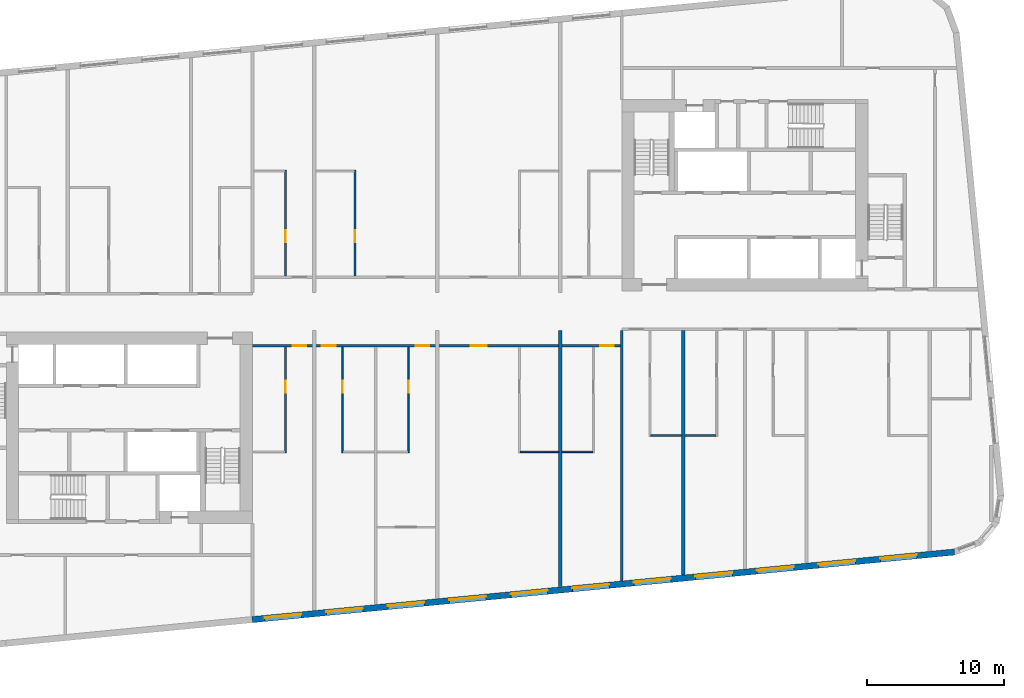
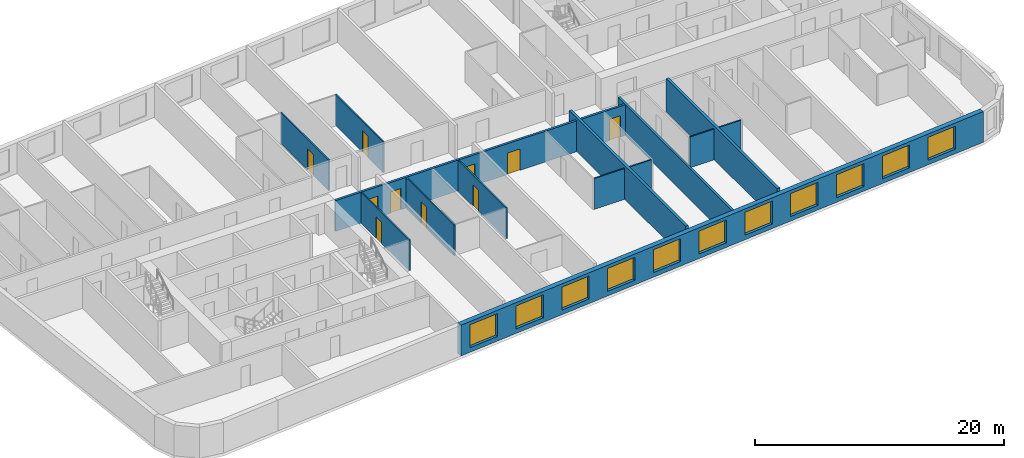
# One storey, part 4 of 12: 14 walls, 11 windows, 10 doors, 21 openings.
"""IFC4 building model written with IfcOpenShell, lengths in metres."""

from ifc_helpers import new_model, si_unit, direction, frame, frame_2d, origin, place, context, subcontext, project, spatial, rectangle, extrude, material, layer, layer_set, type_object, element, fill, save


model = new_model("IFC4")

# Units and contexts
model_context = context("Model", 3, precision=1e-05, world=origin(), true_north=direction((0.0, 1.0)))
body_context = subcontext(model_context, "Body", "Model", "MODEL_VIEW")
ifc_project = project(units=[si_unit("LENGTHUNIT", "METRE"), si_unit("AREAUNIT", "SQUARE_METRE"), si_unit("VOLUMEUNIT", "CUBIC_METRE"), si_unit("PLANEANGLEUNIT", "RADIAN"), si_unit("MASSUNIT", "GRAM", prefix="KILO")], contexts=[model_context])

# Site, building, storey
site_placement = place(None, origin())
site = spatial("IfcSite", under=ifc_project, at=site_placement, CompositionType="ELEMENT")
building_placement = place(site_placement, origin())
building = spatial("IfcBuilding", under=site, at=building_placement, Name="Kajstack Hotel Tower", CompositionType="ELEMENT")
storey_placement = place(building_placement, frame((0.0, 0.0, 199.89990234375)))
storey = spatial("IfcBuildingStorey", under=building, at=storey_placement, Name="L48", CompositionType="ELEMENT", Elevation=199.89990234375)

# Wall, openings, doors
ifc_material_1 = material(Name="Gypsum board on steel studs, mineral wool", Category="steel")
ifc_layer_1 = layer(ifc_material_1, 0.199951171875)
ifc_layer_set_1 = layer_set([ifc_layer_1], Name="Corridor wall 200")
wall_type_1 = type_object("IfcWallType", Name="Corridor wall 200", PredefinedType="PARTITIONING", material=ifc_layer_set_1)
wall_1_placement = place(storey_placement, frame((-13.5, -2.5, 0.0), z_axis=(0.0, 0.0, 1.0), x_axis=(1.0, 0.0, 0.0)))
wall_1 = element("IfcWall", 1, at=wall_1_placement, inside=storey, type_object=wall_type_1, Name="G-wall-L48-028", PredefinedType="PARTITIONING", context=body_context, shape_type="SweptSolid", body=[
    extrude(rectangle(XDim=27.0, YDim=0.199951171875, at=frame_2d((13.5, 0.0))), origin(), (0.0, 0.0, 1.0), 3.02001953125),
])
opening_1_placement = place(wall_1_placement, frame((2.925048828125, 0.0, 0.0)))
opening_1 = element("IfcOpeningElement", 2, at=opening_1_placement, cuts=wall_1, Name="Opening 48021", PredefinedType="OPENING", context=body_context, shape_type="SweptSolid", body=[
    extrude(rectangle(XDim=1.0, YDim=2.10009765625, at=frame_2d((0.5, 1.050048828125))), frame((0.0, 0.10986328125, 0.0), z_axis=(0.0, -1.0, 0.0), x_axis=(1.0, 0.0, 0.0)), (0.0, 0.0, 1.0), 0.219970703125),
])
opening_2_placement = place(wall_1_placement, frame((5.074951171875, 0.0, 0.0)))
opening_2 = element("IfcOpeningElement", 3, at=opening_2_placement, cuts=wall_1, Name="Opening 48023", PredefinedType="OPENING", context=body_context, shape_type="SweptSolid", body=[
    extrude(rectangle(XDim=1.0, YDim=2.10009765625, at=frame_2d((0.5, 1.050048828125))), frame((0.0, 0.10986328125, 0.0), z_axis=(0.0, -1.0, 0.0), x_axis=(1.0, 0.0, 0.0)), (0.0, 0.0, 1.0), 0.219970703125),
])
opening_3_placement = place(wall_1_placement, frame((11.925048828125, 0.0, 0.0)))
opening_3 = element("IfcOpeningElement", 4, at=opening_3_placement, cuts=wall_1, Name="Opening 48025", PredefinedType="OPENING", context=body_context, shape_type="SweptSolid", body=[
    extrude(rectangle(XDim=1.0, YDim=2.10009765625, at=frame_2d((0.5, 1.050048828125))), frame((0.0, 0.10986328125, 0.0), z_axis=(0.0, -1.0, 0.0), x_axis=(1.0, 0.0, 0.0)), (0.0, 0.0, 1.0), 0.219970703125),
])
opening_4_placement = place(wall_1_placement, frame((15.93798828125, 0.0, 0.0)))
opening_4 = element("IfcOpeningElement", 5, at=opening_4_placement, cuts=wall_1, Name="Opening 48028", PredefinedType="OPENING", context=body_context, shape_type="SweptSolid", body=[
    extrude(rectangle(XDim=1.199951171875, YDim=2.10009765625, at=frame_2d((0.60009765625, 1.050048828125))), frame((0.0, 0.10986328125, 0.0), z_axis=(0.0, -1.0, 0.0), x_axis=(1.0, 0.0, 0.0)), (0.0, 0.0, 1.0), 0.219970703125),
])
opening_5_placement = place(wall_1_placement, frame((25.425048828125, 0.0, 0.0)))
opening_5 = element("IfcOpeningElement", 6, at=opening_5_placement, cuts=wall_1, Name="Opening 48030", PredefinedType="OPENING", context=body_context, shape_type="SweptSolid", body=[
    extrude(rectangle(XDim=1.0, YDim=2.10009765625, at=frame_2d((0.5, 1.050048828125))), frame((0.0, 0.10986328125, 0.0), z_axis=(0.0, -1.0, 0.0), x_axis=(1.0, 0.0, 0.0)), (0.0, 0.0, 1.0), 0.219970703125),
])
ifc_material_2 = material(Name="Oak veneer on timber core, fire-rated leaf", Category="wood")
door_type_1 = type_object("IfcDoorType", Name="Flat entrance door 1000", OperationType="SINGLE_SWING_LEFT", PredefinedType="DOOR", material=ifc_material_2)
door_1_placement = place(opening_1_placement, origin())
door_1 = element("IfcDoor", 7, at=door_1_placement, inside=storey, type_object=door_type_1, Name="G-door-L48-21", OperationType="SINGLE_SWING_LEFT", OverallHeight=2.10009765625, OverallWidth=1.0, PredefinedType="DOOR", context=body_context, shape_type="SweptSolid", body=[
    extrude(rectangle(XDim=1.0, YDim=2.10009765625, at=frame_2d((0.5, 1.050048828125))), frame((0.0, 0.02490234375, 0.0), z_axis=(0.0, -1.0, 0.0), x_axis=(1.0, 0.0, 0.0)), (0.0, 0.0, 1.0), 0.050048828125),
])
fill(opening_1, door_1)
door_2_placement = place(opening_2_placement, origin())
door_2 = element("IfcDoor", 8, at=door_2_placement, inside=storey, type_object=door_type_1, Name="G-door-L48-23", OperationType="SINGLE_SWING_RIGHT", OverallHeight=2.10009765625, OverallWidth=1.0, PredefinedType="DOOR", context=body_context, shape_type="SweptSolid", body=[
    extrude(rectangle(XDim=1.0, YDim=2.10009765625, at=frame_2d((0.5, 1.050048828125))), frame((0.0, 0.02490234375, 0.0), z_axis=(0.0, -1.0, 0.0), x_axis=(1.0, 0.0, 0.0)), (0.0, 0.0, 1.0), 0.050048828125),
])
fill(opening_2, door_2)
door_3_placement = place(opening_3_placement, origin())
door_3 = element("IfcDoor", 9, at=door_3_placement, inside=storey, type_object=door_type_1, Name="G-door-L48-25", OperationType="SINGLE_SWING_RIGHT", OverallHeight=2.10009765625, OverallWidth=1.0, PredefinedType="DOOR", context=body_context, shape_type="SweptSolid", body=[
    extrude(rectangle(XDim=1.0, YDim=2.10009765625, at=frame_2d((0.5, 1.050048828125))), frame((0.0, 0.02490234375, 0.0), z_axis=(0.0, -1.0, 0.0), x_axis=(1.0, 0.0, 0.0)), (0.0, 0.0, 1.0), 0.050048828125),
])
fill(opening_3, door_3)
door_4_placement = place(opening_5_placement, origin())
door_4 = element("IfcDoor", 10, at=door_4_placement, inside=storey, type_object=door_type_1, Name="G-door-L48-30", OperationType="SINGLE_SWING_RIGHT", OverallHeight=2.10009765625, OverallWidth=1.0, PredefinedType="DOOR", context=body_context, shape_type="SweptSolid", body=[
    extrude(rectangle(XDim=1.0, YDim=2.10009765625, at=frame_2d((0.5, 1.050048828125))), frame((0.0, 0.02490234375, 0.0), z_axis=(0.0, -1.0, 0.0), x_axis=(1.0, 0.0, 0.0)), (0.0, 0.0, 1.0), 0.050048828125),
])
fill(opening_5, door_4)
door_type_2 = type_object("IfcDoorType", Name="Flat entrance door 1200", OperationType="SINGLE_SWING_LEFT", PredefinedType="DOOR", material=ifc_material_2)
door_5_placement = place(opening_4_placement, origin())
door_5 = element("IfcDoor", 11, at=door_5_placement, inside=storey, type_object=door_type_2, Name="G-door-L48-28", OperationType="SINGLE_SWING_RIGHT", OverallHeight=2.10009765625, OverallWidth=1.199951171875, PredefinedType="DOOR", context=body_context, shape_type="SweptSolid", body=[
    extrude(rectangle(XDim=1.199951171875, YDim=2.10009765625, at=frame_2d((0.60009765625, 1.050048828125))), frame((0.0, 0.02490234375, 0.0), z_axis=(0.0, -1.0, 0.0), x_axis=(1.0, 0.0, 0.0)), (0.0, 0.0, 1.0), 0.050048828125),
])
fill(opening_4, door_5)

# Wall
ifc_material_3 = material(Name="Twin-frame gypsum board on steel studs, mineral wool", Category="steel")
ifc_layer_2 = layer(ifc_material_3, 0.199951171875)
ifc_layer_set_2 = layer_set([ifc_layer_2], Name="Demising wall 200")
wall_type_2 = type_object("IfcWallType", Name="Demising wall 200", PredefinedType="PARTITIONING", material=ifc_layer_set_2)
wall_2_placement = place(storey_placement, frame((13.5, -19.700927734375, 0.0), z_axis=(0.0, 0.0, 1.0), x_axis=(0.0, 1.0, 0.0)))
element("IfcWall", 12, at=wall_2_placement, inside=storey, type_object=wall_type_2, Name="G-wall-L48-040", PredefinedType="PARTITIONING", context=body_context, shape_type="SweptSolid", body=[
    extrude(rectangle(XDim=18.301025390625, YDim=0.199951171875, at=frame_2d((9.150390625, 0.0))), origin(), (0.0, 0.0, 1.0), 3.02001953125),
])

# Wall, openings, windows
ifc_material_4 = material(Name="Terracotta-faced brick masonry", Category="masonry")
ifc_layer_3 = layer(ifc_material_4, 0.449951171875)
ifc_layer_set_3 = layer_set([ifc_layer_3], Name="EW-TERRA")
wall_type_3 = type_object("IfcWallType", Name="EW-TERRA", PredefinedType="SOLIDWALL", material=ifc_layer_set_3)
wall_3_placement = place(storey_placement, frame((-13.521484375, -22.528564453125, 0.0), z_axis=(0.0, 0.0, 1.0), x_axis=(0.995396436651, 0.095843277819, 0.0)))
wall_3 = element("IfcWall", 13, at=wall_3_placement, inside=storey, type_object=wall_type_3, Name="E-wall-L48-04-02", PredefinedType="SOLIDWALL", context=body_context, shape_type="SweptSolid", body=[
    extrude(rectangle(XDim=51.57763671875, YDim=0.449951171875, at=frame_2d((25.788818359375, 0.0))), origin(), (0.0, 0.0, 1.0), 3.02001953125),
])
opening_6_placement = place(wall_3_placement, frame((0.910400390625, 0.0, 0.449951171875)))
opening_6 = element("IfcOpeningElement", 14, at=opening_6_placement, cuts=wall_3, Name="Opening W1", PredefinedType="OPENING", context=body_context, shape_type="SweptSolid", body=[
    extrude(rectangle(XDim=2.699951171875, YDim=2.25, at=frame_2d((1.35009765625, 1.125))), frame((0.0, 0.23486328125, 0.0), z_axis=(0.0, -1.0, 0.0), x_axis=(1.0, 0.0, 0.0)), (0.0, 0.0, 1.0), 0.469970703125),
])
opening_7_placement = place(wall_3_placement, frame((5.431396484375, 0.0, 0.449951171875)))
opening_7 = element("IfcOpeningElement", 15, at=opening_7_placement, cuts=wall_3, Name="Opening W1", PredefinedType="OPENING", context=body_context, shape_type="SweptSolid", body=[
    extrude(rectangle(XDim=2.699951171875, YDim=2.25, at=frame_2d((1.35009765625, 1.125))), frame((0.0, 0.23486328125, 0.0), z_axis=(0.0, -1.0, 0.0), x_axis=(1.0, 0.0, 0.0)), (0.0, 0.0, 1.0), 0.469970703125),
])
opening_8_placement = place(wall_3_placement, frame((9.9521484375, 0.0, 0.449951171875)))
opening_8 = element("IfcOpeningElement", 16, at=opening_8_placement, cuts=wall_3, Name="Opening W1", PredefinedType="OPENING", context=body_context, shape_type="SweptSolid", body=[
    extrude(rectangle(XDim=2.699951171875, YDim=2.25, at=frame_2d((1.35009765625, 1.125))), frame((0.0, 0.23486328125, 0.0), z_axis=(0.0, -1.0, 0.0), x_axis=(1.0, 0.0, 0.0)), (0.0, 0.0, 1.0), 0.469970703125),
])
opening_9_placement = place(wall_3_placement, frame((14.472900390625, 0.0, 0.449951171875)))
opening_9 = element("IfcOpeningElement", 17, at=opening_9_placement, cuts=wall_3, Name="Opening W1", PredefinedType="OPENING", context=body_context, shape_type="SweptSolid", body=[
    extrude(rectangle(XDim=2.699951171875, YDim=2.25, at=frame_2d((1.35009765625, 1.125))), frame((0.0, 0.23486328125, 0.0), z_axis=(0.0, -1.0, 0.0), x_axis=(1.0, 0.0, 0.0)), (0.0, 0.0, 1.0), 0.469970703125),
])
opening_10_placement = place(wall_3_placement, frame((18.99365234375, 0.0, 0.449951171875)))
opening_10 = element("IfcOpeningElement", 18, at=opening_10_placement, cuts=wall_3, Name="Opening W1", PredefinedType="OPENING", context=body_context, shape_type="SweptSolid", body=[
    extrude(rectangle(XDim=2.699951171875, YDim=2.25, at=frame_2d((1.35009765625, 1.125))), frame((0.0, 0.23486328125, 0.0), z_axis=(0.0, -1.0, 0.0), x_axis=(1.0, 0.0, 0.0)), (0.0, 0.0, 1.0), 0.469970703125),
])
opening_11_placement = place(wall_3_placement, frame((23.514404296875, 0.0, 0.449951171875)))
opening_11 = element("IfcOpeningElement", 19, at=opening_11_placement, cuts=wall_3, Name="Opening W1", PredefinedType="OPENING", context=body_context, shape_type="SweptSolid", body=[
    extrude(rectangle(XDim=2.699951171875, YDim=2.25, at=frame_2d((1.35009765625, 1.125))), frame((0.0, 0.23486328125, 0.0), z_axis=(0.0, -1.0, 0.0), x_axis=(1.0, 0.0, 0.0)), (0.0, 0.0, 1.0), 0.469970703125),
])
opening_12_placement = place(wall_3_placement, frame((28.035400390625, 0.0, 0.449951171875)))
opening_12 = element("IfcOpeningElement", 20, at=opening_12_placement, cuts=wall_3, Name="Opening W1", PredefinedType="OPENING", context=body_context, shape_type="SweptSolid", body=[
    extrude(rectangle(XDim=2.699951171875, YDim=2.25, at=frame_2d((1.35009765625, 1.125))), frame((0.0, 0.23486328125, 0.0), z_axis=(0.0, -1.0, 0.0), x_axis=(1.0, 0.0, 0.0)), (0.0, 0.0, 1.0), 0.469970703125),
])
opening_13_placement = place(wall_3_placement, frame((32.55615234375, 0.0, 0.449951171875)))
opening_13 = element("IfcOpeningElement", 21, at=opening_13_placement, cuts=wall_3, Name="Opening W1", PredefinedType="OPENING", context=body_context, shape_type="SweptSolid", body=[
    extrude(rectangle(XDim=2.699951171875, YDim=2.25, at=frame_2d((1.35009765625, 1.125))), frame((0.0, 0.23486328125, 0.0), z_axis=(0.0, -1.0, 0.0), x_axis=(1.0, 0.0, 0.0)), (0.0, 0.0, 1.0), 0.469970703125),
])
opening_14_placement = place(wall_3_placement, frame((37.076904296875, 0.0, 0.449951171875)))
opening_14 = element("IfcOpeningElement", 22, at=opening_14_placement, cuts=wall_3, Name="Opening W1", PredefinedType="OPENING", context=body_context, shape_type="SweptSolid", body=[
    extrude(rectangle(XDim=2.699951171875, YDim=2.25, at=frame_2d((1.35009765625, 1.125))), frame((0.0, 0.23486328125, 0.0), z_axis=(0.0, -1.0, 0.0), x_axis=(1.0, 0.0, 0.0)), (0.0, 0.0, 1.0), 0.469970703125),
])
opening_15_placement = place(wall_3_placement, frame((41.597900390625, 0.0, 0.449951171875)))
opening_15 = element("IfcOpeningElement", 23, at=opening_15_placement, cuts=wall_3, Name="Opening W1", PredefinedType="OPENING", context=body_context, shape_type="SweptSolid", body=[
    extrude(rectangle(XDim=2.699951171875, YDim=2.25, at=frame_2d((1.35009765625, 1.125))), frame((0.0, 0.23486328125, 0.0), z_axis=(0.0, -1.0, 0.0), x_axis=(1.0, 0.0, 0.0)), (0.0, 0.0, 1.0), 0.469970703125),
])
opening_16_placement = place(wall_3_placement, frame((46.11865234375, 0.0, 0.449951171875)))
opening_16 = element("IfcOpeningElement", 24, at=opening_16_placement, cuts=wall_3, Name="Opening W1", PredefinedType="OPENING", context=body_context, shape_type="SweptSolid", body=[
    extrude(rectangle(XDim=2.699951171875, YDim=2.25, at=frame_2d((1.35009765625, 1.125))), frame((0.0, 0.23486328125, 0.0), z_axis=(0.0, -1.0, 0.0), x_axis=(1.0, 0.0, 0.0)), (0.0, 0.0, 1.0), 0.469970703125),
])
ifc_material_5 = material(Name="Timber-aluminium window, triple glazed", Category="wood")
window_type = type_object("IfcWindowType", Name="WG1", PartitioningType="SINGLE_PANEL", PredefinedType="WINDOW", material=ifc_material_5)
window_1_placement = place(opening_6_placement, origin())
window_1 = element("IfcWindow", 25, at=window_1_placement, inside=storey, type_object=window_type, Name="Window W1 L48-04", OverallHeight=2.25, OverallWidth=2.699951171875, PartitioningType="SINGLE_PANEL", PredefinedType="WINDOW", context=body_context, shape_type="SweptSolid", body=[
    extrude(rectangle(XDim=2.699951171875, YDim=2.25, at=frame_2d((1.35009765625, 1.125))), frame((0.0, 0.090087890625, 0.0), z_axis=(0.0, -1.0, 0.0), x_axis=(1.0, 0.0, 0.0)), (0.0, 0.0, 1.0), 0.06005859375),
])
fill(opening_6, window_1)
window_2_placement = place(opening_7_placement, origin())
window_2 = element("IfcWindow", 26, at=window_2_placement, inside=storey, type_object=window_type, Name="Window W1 L48-04", OverallHeight=2.25, OverallWidth=2.699951171875, PartitioningType="SINGLE_PANEL", PredefinedType="WINDOW", context=body_context, shape_type="SweptSolid", body=[
    extrude(rectangle(XDim=2.699951171875, YDim=2.25, at=frame_2d((1.35009765625, 1.125))), frame((0.0, 0.090087890625, 0.0), z_axis=(0.0, -1.0, 0.0), x_axis=(1.0, 0.0, 0.0)), (0.0, 0.0, 1.0), 0.06005859375),
])
fill(opening_7, window_2)
window_3_placement = place(opening_8_placement, origin())
window_3 = element("IfcWindow", 27, at=window_3_placement, inside=storey, type_object=window_type, Name="Window W1 L48-04", OverallHeight=2.25, OverallWidth=2.699951171875, PartitioningType="SINGLE_PANEL", PredefinedType="WINDOW", context=body_context, shape_type="SweptSolid", body=[
    extrude(rectangle(XDim=2.699951171875, YDim=2.25, at=frame_2d((1.35009765625, 1.125))), frame((0.0, 0.090087890625, 0.0), z_axis=(0.0, -1.0, 0.0), x_axis=(1.0, 0.0, 0.0)), (0.0, 0.0, 1.0), 0.06005859375),
])
fill(opening_8, window_3)
window_4_placement = place(opening_9_placement, origin())
window_4 = element("IfcWindow", 28, at=window_4_placement, inside=storey, type_object=window_type, Name="Window W1 L48-04", OverallHeight=2.25, OverallWidth=2.699951171875, PartitioningType="SINGLE_PANEL", PredefinedType="WINDOW", context=body_context, shape_type="SweptSolid", body=[
    extrude(rectangle(XDim=2.699951171875, YDim=2.25, at=frame_2d((1.35009765625, 1.125))), frame((0.0, 0.090087890625, 0.0), z_axis=(0.0, -1.0, 0.0), x_axis=(1.0, 0.0, 0.0)), (0.0, 0.0, 1.0), 0.06005859375),
])
fill(opening_9, window_4)
window_5_placement = place(opening_10_placement, origin())
window_5 = element("IfcWindow", 29, at=window_5_placement, inside=storey, type_object=window_type, Name="Window W1 L48-04", OverallHeight=2.25, OverallWidth=2.699951171875, PartitioningType="SINGLE_PANEL", PredefinedType="WINDOW", context=body_context, shape_type="SweptSolid", body=[
    extrude(rectangle(XDim=2.699951171875, YDim=2.25, at=frame_2d((1.35009765625, 1.125))), frame((0.0, 0.090087890625, 0.0), z_axis=(0.0, -1.0, 0.0), x_axis=(1.0, 0.0, 0.0)), (0.0, 0.0, 1.0), 0.06005859375),
])
fill(opening_10, window_5)
window_6_placement = place(opening_11_placement, origin())
window_6 = element("IfcWindow", 30, at=window_6_placement, inside=storey, type_object=window_type, Name="Window W1 L48-04", OverallHeight=2.25, OverallWidth=2.699951171875, PartitioningType="SINGLE_PANEL", PredefinedType="WINDOW", context=body_context, shape_type="SweptSolid", body=[
    extrude(rectangle(XDim=2.699951171875, YDim=2.25, at=frame_2d((1.35009765625, 1.125))), frame((0.0, 0.090087890625, 0.0), z_axis=(0.0, -1.0, 0.0), x_axis=(1.0, 0.0, 0.0)), (0.0, 0.0, 1.0), 0.06005859375),
])
fill(opening_11, window_6)
window_7_placement = place(opening_12_placement, origin())
window_7 = element("IfcWindow", 31, at=window_7_placement, inside=storey, type_object=window_type, Name="Window W1 L48-04", OverallHeight=2.25, OverallWidth=2.699951171875, PartitioningType="SINGLE_PANEL", PredefinedType="WINDOW", context=body_context, shape_type="SweptSolid", body=[
    extrude(rectangle(XDim=2.699951171875, YDim=2.25, at=frame_2d((1.35009765625, 1.125))), frame((0.0, 0.090087890625, 0.0), z_axis=(0.0, -1.0, 0.0), x_axis=(1.0, 0.0, 0.0)), (0.0, 0.0, 1.0), 0.06005859375),
])
fill(opening_12, window_7)
window_8_placement = place(opening_13_placement, origin())
window_8 = element("IfcWindow", 32, at=window_8_placement, inside=storey, type_object=window_type, Name="Window W1 L48-04", OverallHeight=2.25, OverallWidth=2.699951171875, PartitioningType="SINGLE_PANEL", PredefinedType="WINDOW", context=body_context, shape_type="SweptSolid", body=[
    extrude(rectangle(XDim=2.699951171875, YDim=2.25, at=frame_2d((1.35009765625, 1.125))), frame((0.0, 0.090087890625, 0.0), z_axis=(0.0, -1.0, 0.0), x_axis=(1.0, 0.0, 0.0)), (0.0, 0.0, 1.0), 0.06005859375),
])
fill(opening_13, window_8)
window_9_placement = place(opening_14_placement, origin())
window_9 = element("IfcWindow", 33, at=window_9_placement, inside=storey, type_object=window_type, Name="Window W1 L48-04", OverallHeight=2.25, OverallWidth=2.699951171875, PartitioningType="SINGLE_PANEL", PredefinedType="WINDOW", context=body_context, shape_type="SweptSolid", body=[
    extrude(rectangle(XDim=2.699951171875, YDim=2.25, at=frame_2d((1.35009765625, 1.125))), frame((0.0, 0.090087890625, 0.0), z_axis=(0.0, -1.0, 0.0), x_axis=(1.0, 0.0, 0.0)), (0.0, 0.0, 1.0), 0.06005859375),
])
fill(opening_14, window_9)
window_10_placement = place(opening_15_placement, origin())
window_10 = element("IfcWindow", 34, at=window_10_placement, inside=storey, type_object=window_type, Name="Window W1 L48-04", OverallHeight=2.25, OverallWidth=2.699951171875, PartitioningType="SINGLE_PANEL", PredefinedType="WINDOW", context=body_context, shape_type="SweptSolid", body=[
    extrude(rectangle(XDim=2.699951171875, YDim=2.25, at=frame_2d((1.35009765625, 1.125))), frame((0.0, 0.090087890625, 0.0), z_axis=(0.0, -1.0, 0.0), x_axis=(1.0, 0.0, 0.0)), (0.0, 0.0, 1.0), 0.06005859375),
])
fill(opening_15, window_10)
window_11_placement = place(opening_16_placement, origin())
window_11 = element("IfcWindow", 35, at=window_11_placement, inside=storey, type_object=window_type, Name="Window W1 L48-04", OverallHeight=2.25, OverallWidth=2.699951171875, PartitioningType="SINGLE_PANEL", PredefinedType="WINDOW", context=body_context, shape_type="SweptSolid", body=[
    extrude(rectangle(XDim=2.699951171875, YDim=2.25, at=frame_2d((1.35009765625, 1.125))), frame((0.0, 0.090087890625, 0.0), z_axis=(0.0, -1.0, 0.0), x_axis=(1.0, 0.0, 0.0)), (0.0, 0.0, 1.0), 0.06005859375),
])
fill(opening_16, window_11)

# Wall, opening, door
ifc_material_6 = material(Name="Gypsum board and tiled backer on steel studs", Category="steel")
ifc_layer_4 = layer(ifc_material_6, 0.125)
ifc_layer_set_4 = layer_set([ifc_layer_4], Name="En-suite wall 125")
wall_type_4 = type_object("IfcWallType", Name="En-suite wall 125", PredefinedType="PARTITIONING", material=ifc_layer_set_4)
wall_4_placement = place(storey_placement, frame((-11.087890625, 2.60009765625, 0.0), z_axis=(0.0, 0.0, 1.0), x_axis=(0.0, 1.0, 0.0)))
wall_4 = element("IfcWall", 36, at=wall_4_placement, inside=storey, type_object=wall_type_4, Name="G-wall-L48-020", PredefinedType="PARTITIONING", context=body_context, shape_type="SweptSolid", body=[
    extrude(rectangle(XDim=7.724853515625, YDim=0.125, at=frame_2d((3.8623046875, 0.0))), origin(), (0.0, 0.0, 1.0), 3.02001953125),
])
opening_17_placement = place(wall_4_placement, frame((2.449951171875, 0.0, 0.0)))
opening_17 = element("IfcOpeningElement", 37, at=opening_17_placement, cuts=wall_4, Name="Opening 48014", PredefinedType="OPENING", context=body_context, shape_type="SweptSolid", body=[
    extrude(rectangle(XDim=0.89990234375, YDim=2.10009765625, at=frame_2d((0.449951171875, 1.050048828125))), frame((0.0, 0.072509765625, 0.0), z_axis=(0.0, -1.0, 0.0), x_axis=(1.0, 0.0, 0.0)), (0.0, 0.0, 1.0), 0.14501953125),
])
ifc_material_7 = material(Name="Painted timber door leaf", Category="wood")
door_type_3 = type_object("IfcDoorType", Name="Room door 900", OperationType="SINGLE_SWING_LEFT", PredefinedType="DOOR", material=ifc_material_7)
door_6_placement = place(opening_17_placement, origin())
door_6 = element("IfcDoor", 38, at=door_6_placement, inside=storey, type_object=door_type_3, Name="G-door-L48-14", OperationType="SINGLE_SWING_RIGHT", OverallHeight=2.10009765625, OverallWidth=0.89990234375, PredefinedType="DOOR", context=body_context, shape_type="SweptSolid", body=[
    extrude(rectangle(XDim=0.89990234375, YDim=2.10009765625, at=frame_2d((0.449951171875, 1.050048828125))), frame((0.0, 0.02490234375, 0.0), z_axis=(0.0, -1.0, 0.0), x_axis=(1.0, 0.0, 0.0)), (0.0, 0.0, 1.0), 0.050048828125),
])
fill(opening_17, door_6)

wall_5_placement = place(storey_placement, frame((-6.012939453125, 2.60009765625, 0.0), z_axis=(0.0, 0.0, 1.0), x_axis=(0.0, 1.0, 0.0)))
wall_5 = element("IfcWall", 39, at=wall_5_placement, inside=storey, type_object=wall_type_4, Name="G-wall-L48-022", PredefinedType="PARTITIONING", context=body_context, shape_type="SweptSolid", body=[
    extrude(rectangle(XDim=7.724853515625, YDim=0.125, at=frame_2d((3.8623046875, 0.0))), origin(), (0.0, 0.0, 1.0), 3.02001953125),
])
opening_18_placement = place(wall_5_placement, frame((2.449951171875, 0.0, 0.0)))
opening_18 = element("IfcOpeningElement", 40, at=opening_18_placement, cuts=wall_5, Name="Opening 48016", PredefinedType="OPENING", context=body_context, shape_type="SweptSolid", body=[
    extrude(rectangle(XDim=0.89990234375, YDim=2.10009765625, at=frame_2d((0.449951171875, 1.050048828125))), frame((0.0, 0.072509765625, 0.0), z_axis=(0.0, -1.0, 0.0), x_axis=(1.0, 0.0, 0.0)), (0.0, 0.0, 1.0), 0.14501953125),
])
door_7_placement = place(opening_18_placement, origin())
door_7 = element("IfcDoor", 41, at=door_7_placement, inside=storey, type_object=door_type_3, Name="G-door-L48-16", OperationType="SINGLE_SWING_LEFT", OverallHeight=2.10009765625, OverallWidth=0.89990234375, PredefinedType="DOOR", context=body_context, shape_type="SweptSolid", body=[
    extrude(rectangle(XDim=0.89990234375, YDim=2.10009765625, at=frame_2d((0.449951171875, 1.050048828125))), frame((0.0, 0.02490234375, 0.0), z_axis=(0.0, -1.0, 0.0), x_axis=(1.0, 0.0, 0.0)), (0.0, 0.0, 1.0), 0.050048828125),
])
fill(opening_18, door_7)

wall_6_placement = place(storey_placement, frame((-11.087890625, -10.324951171875, 0.0), z_axis=(0.0, 0.0, 1.0), x_axis=(0.0, 1.0, 0.0)))
wall_6 = element("IfcWall", 42, at=wall_6_placement, inside=storey, type_object=wall_type_4, Name="G-wall-L48-030", PredefinedType="PARTITIONING", context=body_context, shape_type="SweptSolid", body=[
    extrude(rectangle(XDim=7.724853515625, YDim=0.125, at=frame_2d((3.8623046875, 0.0))), origin(), (0.0, 0.0, 1.0), 3.02001953125),
])
opening_19_placement = place(wall_6_placement, frame((4.375, 0.0, 0.0)))
opening_19 = element("IfcOpeningElement", 43, at=opening_19_placement, cuts=wall_6, Name="Opening 48022", PredefinedType="OPENING", context=body_context, shape_type="SweptSolid", body=[
    extrude(rectangle(XDim=0.89990234375, YDim=2.10009765625, at=frame_2d((0.449951171875, 1.050048828125))), frame((0.0, 0.072509765625, 0.0), z_axis=(0.0, -1.0, 0.0), x_axis=(1.0, 0.0, 0.0)), (0.0, 0.0, 1.0), 0.14501953125),
])
door_8_placement = place(opening_19_placement, origin())
door_8 = element("IfcDoor", 44, at=door_8_placement, inside=storey, type_object=door_type_3, Name="G-door-L48-22", OperationType="SINGLE_SWING_RIGHT", OverallHeight=2.10009765625, OverallWidth=0.89990234375, PredefinedType="DOOR", context=body_context, shape_type="SweptSolid", body=[
    extrude(rectangle(XDim=0.89990234375, YDim=2.10009765625, at=frame_2d((0.449951171875, 1.050048828125))), frame((0.0, 0.02490234375, 0.0), z_axis=(0.0, -1.0, 0.0), x_axis=(1.0, 0.0, 0.0)), (0.0, 0.0, 1.0), 0.050048828125),
])
fill(opening_19, door_8)

wall_7_placement = place(storey_placement, frame((-6.912109375, -10.324951171875, 0.0), z_axis=(0.0, 0.0, 1.0), x_axis=(0.0, 1.0, 0.0)))
wall_7 = element("IfcWall", 45, at=wall_7_placement, inside=storey, type_object=wall_type_4, Name="G-wall-L48-033", PredefinedType="PARTITIONING", context=body_context, shape_type="SweptSolid", body=[
    extrude(rectangle(XDim=7.724853515625, YDim=0.125, at=frame_2d((3.8623046875, 0.0))), origin(), (0.0, 0.0, 1.0), 3.02001953125),
])
opening_20_placement = place(wall_7_placement, frame((4.375, 0.0, 0.0)))
opening_20 = element("IfcOpeningElement", 46, at=opening_20_placement, cuts=wall_7, Name="Opening 48024", PredefinedType="OPENING", context=body_context, shape_type="SweptSolid", body=[
    extrude(rectangle(XDim=0.89990234375, YDim=2.10009765625, at=frame_2d((0.449951171875, 1.050048828125))), frame((0.0, 0.072509765625, 0.0), z_axis=(0.0, -1.0, 0.0), x_axis=(1.0, 0.0, 0.0)), (0.0, 0.0, 1.0), 0.14501953125),
])
door_9_placement = place(opening_20_placement, origin())
door_9 = element("IfcDoor", 47, at=door_9_placement, inside=storey, type_object=door_type_3, Name="G-door-L48-24", OperationType="SINGLE_SWING_RIGHT", OverallHeight=2.10009765625, OverallWidth=0.89990234375, PredefinedType="DOOR", context=body_context, shape_type="SweptSolid", body=[
    extrude(rectangle(XDim=0.89990234375, YDim=2.10009765625, at=frame_2d((0.449951171875, 1.050048828125))), frame((0.0, 0.02490234375, 0.0), z_axis=(0.0, -1.0, 0.0), x_axis=(1.0, 0.0, 0.0)), (0.0, 0.0, 1.0), 0.050048828125),
])
fill(opening_20, door_9)

wall_8_placement = place(storey_placement, frame((-2.0869140625, -10.324951171875, 0.0), z_axis=(0.0, 0.0, 1.0), x_axis=(0.0, 1.0, 0.0)))
wall_8 = element("IfcWall", 48, at=wall_8_placement, inside=storey, type_object=wall_type_4, Name="G-wall-L48-035", PredefinedType="PARTITIONING", context=body_context, shape_type="SweptSolid", body=[
    extrude(rectangle(XDim=7.724853515625, YDim=0.125, at=frame_2d((3.8623046875, 0.0))), origin(), (0.0, 0.0, 1.0), 3.02001953125),
])
opening_21_placement = place(wall_8_placement, frame((4.375, 0.0, 0.0)))
opening_21 = element("IfcOpeningElement", 49, at=opening_21_placement, cuts=wall_8, Name="Opening 48026", PredefinedType="OPENING", context=body_context, shape_type="SweptSolid", body=[
    extrude(rectangle(XDim=0.89990234375, YDim=2.10009765625, at=frame_2d((0.449951171875, 1.050048828125))), frame((0.0, 0.072509765625, 0.0), z_axis=(0.0, -1.0, 0.0), x_axis=(1.0, 0.0, 0.0)), (0.0, 0.0, 1.0), 0.14501953125),
])
door_10_placement = place(opening_21_placement, origin())
door_10 = element("IfcDoor", 50, at=door_10_placement, inside=storey, type_object=door_type_3, Name="G-door-L48-26", OperationType="SINGLE_SWING_RIGHT", OverallHeight=2.10009765625, OverallWidth=0.89990234375, PredefinedType="DOOR", context=body_context, shape_type="SweptSolid", body=[
    extrude(rectangle(XDim=0.89990234375, YDim=2.10009765625, at=frame_2d((0.449951171875, 1.050048828125))), frame((0.0, 0.02490234375, 0.0), z_axis=(0.0, -1.0, 0.0), x_axis=(1.0, 0.0, 0.0)), (0.0, 0.0, 1.0), 0.050048828125),
])
fill(opening_21, door_10)

# Walls
wall_9_placement = place(storey_placement, frame((6.074951171875, -10.261962890625, 0.0), z_axis=(0.0, 0.0, 1.0), x_axis=(1.0, 0.0, 0.0)))
element("IfcWall", 51, at=wall_9_placement, inside=storey, type_object=wall_type_4, Name="G-wall-L48-039", PredefinedType="PARTITIONING", context=body_context, shape_type="SweptSolid", body=[
    extrude(rectangle(XDim=2.800048828125, YDim=0.125, at=frame_2d((1.39990234375, 0.0))), origin(), (0.0, 0.0, 1.0), 3.02001953125),
])
for number, where, z_axis, x_axis, name in (
    (52, (9.125, -10.261962890625, 0.0), (0.0, 0.0, 1.0), (1.0, 0.0, 0.0), "G-wall-L48-042"),
    (53, (15.625, -9.06201171875, 0.0), (0.0, 0.0, 1.0), (1.0, 0.0, 0.0), "G-wall-L48-044"),
    (54, (18.125, -9.06201171875, 0.0), (0.0, 0.0, 1.0), (1.0, 0.0, 0.0), "G-wall-L48-047"),
):
    element("IfcWall", number, at=place(storey_placement, frame(where, z_axis=z_axis, x_axis=x_axis)), inside=storey, type_object=wall_type_4, Name=name, PredefinedType="PARTITIONING", context=body_context, shape_type="SweptSolid", body=[
        extrude(rectangle(XDim=2.25, YDim=0.125, at=frame_2d((1.125, 0.0))), origin(), (0.0, 0.0, 1.0), 3.02001953125),
    ])
ifc_material_8 = material(Name="Concrete C50/60", Category="concrete")
ifc_layer_5 = layer(ifc_material_8, 0.25)
ifc_layer_set_5 = layer_set([ifc_layer_5], Name="RC cross wall 250 C50/60")
wall_type_5 = type_object("IfcWallType", Name="RC cross wall 250 C50/60", PredefinedType="SHEAR", material=ifc_layer_set_5)
wall_10_placement = place(storey_placement, frame((9.0, -20.11181640625, 0.0), z_axis=(0.0, 0.0, 1.0), x_axis=(0.0, 1.0, 0.0)))
element("IfcWall", 55, at=wall_10_placement, inside=storey, type_object=wall_type_5, Name="S-wall-L48-08", PredefinedType="SHEAR", context=body_context, shape_type="SweptSolid", body=[
    extrude(rectangle(XDim=18.7119140625, YDim=0.25, at=frame_2d((9.35595703125, 0.0))), origin(), (0.0, 0.0, 1.0), 3.300048828125),
])
wall_11_placement = place(storey_placement, frame((18.0, -19.245361328125, 0.0), z_axis=(0.0, 0.0, 1.0), x_axis=(0.0, 1.0, 0.0)))
element("IfcWall", 56, at=wall_11_placement, inside=storey, type_object=wall_type_5, Name="S-wall-L48-10", PredefinedType="SHEAR", context=body_context, shape_type="SweptSolid", body=[
    extrude(rectangle(XDim=17.845458984375, YDim=0.25, at=frame_2d((8.9228515625, 0.0))), origin(), (0.0, 0.0, 1.0), 3.300048828125),
])

save(model, "model.ifc")
